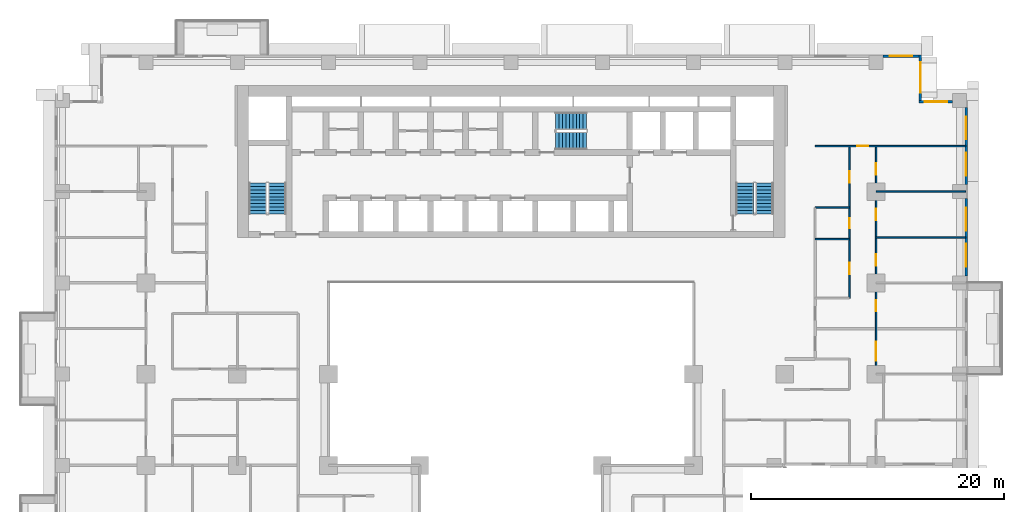
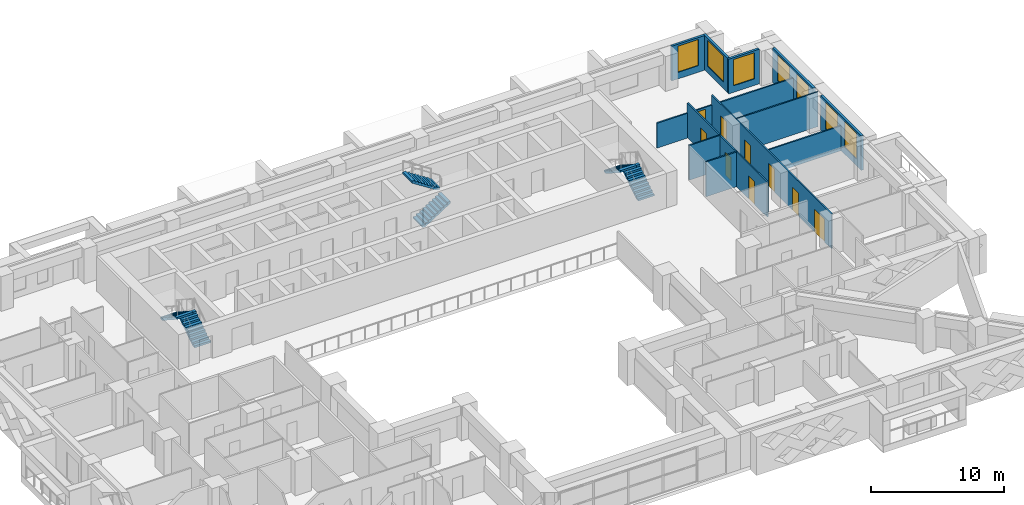
# One storey, part 12 of 16: 12 walls, 9 doors, 7 windows, 6 stair flights, 16 openings, 3 elements without a shape of their own.
"""IFC4 building model written with IfcOpenShell, lengths in metres."""

from ifc_helpers import new_model, si_unit, direction, frame, frame_2d, origin, place, context, subcontext, project, spatial, polyline, rectangle, outline, extrude, material, layer, layer_set, type_object, element, fill, aggregate, save


model = new_model("IFC4")

# Units and contexts
model_context = context("Model", 3, precision=1e-05, world=origin(), true_north=direction((0.0, 1.0)))
body_context = subcontext(model_context, "Body", "Model", "MODEL_VIEW")
ifc_project = project(units=[si_unit("LENGTHUNIT", "METRE"), si_unit("AREAUNIT", "SQUARE_METRE"), si_unit("VOLUMEUNIT", "CUBIC_METRE"), si_unit("PLANEANGLEUNIT", "RADIAN"), si_unit("MASSUNIT", "GRAM", prefix="KILO")], contexts=[model_context])

# Site, building, storey
site_placement = place(None, origin())
site = spatial("IfcSite", under=ifc_project, at=site_placement, CompositionType="ELEMENT")
building_placement = place(site_placement, origin())
building = spatial("IfcBuilding", under=site, at=building_placement, Name="Saffron Iwan Residences", CompositionType="ELEMENT")
storey_placement = place(building_placement, frame((0.0, 0.0, 30.5)))
storey = spatial("IfcBuildingStorey", under=building, at=storey_placement, Name="L06", CompositionType="ELEMENT", Elevation=30.5)

# Wall, openings, windows
ifc_material_1 = material(Name="Concrete C40/50", Category="concrete")
ifc_layer_1 = layer(ifc_material_1, 0.199951171875)
ifc_layer_set_1 = layer_set([ifc_layer_1], Name="Concrete C40/50")
wall_type_1 = type_object("IfcWallType", Name="EXTERNAL WALL 200", PredefinedType="SOLIDWALL", material=ifc_layer_set_1)
wall_1_placement = place(storey_placement, frame((86.300048828125, 62.949951171875, 0.0), z_axis=(0.0, 0.0, 1.0), x_axis=(0.0, 1.0, 0.0)))
wall_1 = element("IfcWall", 1, at=wall_1_placement, inside=storey, type_object=wall_type_1, Name="External wall L06 F2.2", PredefinedType="SOLIDWALL", context=body_context, shape_type="SweptSolid", body=[
    extrude(rectangle(XDim=6.10009765625, YDim=0.199951171875, at=frame_2d((3.050048828125, 0.0))), origin(), (0.0, 0.0, 1.0), 3.179931640625),
])
opening_1_placement = place(wall_1_placement, frame((0.72509765625, 0.0, 0.60009765625)))
opening_1 = element("IfcOpeningElement", 2, at=opening_1_placement, cuts=wall_1, Name="Opening W8", PredefinedType="OPENING", context=body_context, shape_type="SweptSolid", body=[
    extrude(rectangle(XDim=1.800048828125, YDim=2.39990234375, at=frame_2d((0.89990234375, 1.199951171875))), frame((0.0, 0.10986328125, 0.0), z_axis=(0.0, -1.0, 0.0), x_axis=(1.0, 0.0, 0.0)), (0.0, 0.0, 1.0), 0.219970703125),
])
opening_2_placement = place(wall_1_placement, frame((3.574951171875, 0.0, 0.60009765625)))
opening_2 = element("IfcOpeningElement", 3, at=opening_2_placement, cuts=wall_1, Name="Opening W8", PredefinedType="OPENING", context=body_context, shape_type="SweptSolid", body=[
    extrude(rectangle(XDim=1.800048828125, YDim=2.39990234375, at=frame_2d((0.89990234375, 1.199951171875))), frame((0.0, 0.10986328125, 0.0), z_axis=(0.0, -1.0, 0.0), x_axis=(1.0, 0.0, 0.0)), (0.0, 0.0, 1.0), 0.219970703125),
])
ifc_material_2 = material(Name="Clear glass, laminated double glazed", Category="glass")
window_type_1 = type_object("IfcWindowType", Name="WINDOW 1800 x 2400", PartitioningType="DOUBLE_PANEL_VERTICAL", PredefinedType="WINDOW", material=ifc_material_2)
window_1_placement = place(opening_1_placement, origin())
window_1 = element("IfcWindow", 4, at=window_1_placement, inside=storey, type_object=window_type_1, Name="Window L06 F2.0", OverallHeight=2.39990234375, OverallWidth=1.800048828125, PartitioningType="DOUBLE_PANEL_VERTICAL", PredefinedType="WINDOW", context=body_context, shape_type="SweptSolid", body=[
    extrude(rectangle(XDim=1.800048828125, YDim=2.39990234375, at=frame_2d((0.89990234375, 1.199951171875))), frame((0.0, 0.030029296875, 0.0), z_axis=(0.0, -1.0, 0.0), x_axis=(1.0, 0.0, 0.0)), (0.0, 0.0, 1.0), 0.06005859375),
])
fill(opening_1, window_1)
window_2_placement = place(opening_2_placement, origin())
window_2 = element("IfcWindow", 5, at=window_2_placement, inside=storey, type_object=window_type_1, Name="Window L06 F2.1", OverallHeight=2.39990234375, OverallWidth=1.800048828125, PartitioningType="DOUBLE_PANEL_VERTICAL", PredefinedType="WINDOW", context=body_context, shape_type="SweptSolid", body=[
    extrude(rectangle(XDim=1.800048828125, YDim=2.39990234375, at=frame_2d((0.89990234375, 1.199951171875))), frame((0.0, 0.030029296875, 0.0), z_axis=(0.0, -1.0, 0.0), x_axis=(1.0, 0.0, 0.0)), (0.0, 0.0, 1.0), 0.06005859375),
])
fill(opening_2, window_2)

wall_2_placement = place(storey_placement, frame((86.300048828125, 70.14990234375, 0.0), z_axis=(0.0, 0.0, 1.0), x_axis=(0.0, 1.0, 0.0)))
wall_2 = element("IfcWall", 6, at=wall_2_placement, inside=storey, type_object=wall_type_1, Name="External wall L06 F2.3", PredefinedType="SOLIDWALL", context=body_context, shape_type="SweptSolid", body=[
    extrude(rectangle(XDim=6.10009765625, YDim=0.199951171875, at=frame_2d((3.050048828125, 0.0))), origin(), (0.0, 0.0, 1.0), 3.179931640625),
])
opening_3_placement = place(wall_2_placement, frame((0.72509765625, 0.0, 0.60009765625)))
opening_3 = element("IfcOpeningElement", 7, at=opening_3_placement, cuts=wall_2, Name="Opening W8", PredefinedType="OPENING", context=body_context, shape_type="SweptSolid", body=[
    extrude(rectangle(XDim=1.800048828125, YDim=2.39990234375, at=frame_2d((0.89990234375, 1.199951171875))), frame((0.0, 0.10986328125, 0.0), z_axis=(0.0, -1.0, 0.0), x_axis=(1.0, 0.0, 0.0)), (0.0, 0.0, 1.0), 0.219970703125),
])
opening_4_placement = place(wall_2_placement, frame((3.574951171875, 0.0, 0.60009765625)))
opening_4 = element("IfcOpeningElement", 8, at=opening_4_placement, cuts=wall_2, Name="Opening W8", PredefinedType="OPENING", context=body_context, shape_type="SweptSolid", body=[
    extrude(rectangle(XDim=1.800048828125, YDim=2.39990234375, at=frame_2d((0.89990234375, 1.199951171875))), frame((0.0, 0.10986328125, 0.0), z_axis=(0.0, -1.0, 0.0), x_axis=(1.0, 0.0, 0.0)), (0.0, 0.0, 1.0), 0.219970703125),
])
window_3_placement = place(opening_3_placement, origin())
window_3 = element("IfcWindow", 9, at=window_3_placement, inside=storey, type_object=window_type_1, Name="Window L06 F2.0", OverallHeight=2.39990234375, OverallWidth=1.800048828125, PartitioningType="DOUBLE_PANEL_VERTICAL", PredefinedType="WINDOW", context=body_context, shape_type="SweptSolid", body=[
    extrude(rectangle(XDim=1.800048828125, YDim=2.39990234375, at=frame_2d((0.89990234375, 1.199951171875))), frame((0.0, 0.030029296875, 0.0), z_axis=(0.0, -1.0, 0.0), x_axis=(1.0, 0.0, 0.0)), (0.0, 0.0, 1.0), 0.06005859375),
])
fill(opening_3, window_3)
window_4_placement = place(opening_4_placement, origin())
window_4 = element("IfcWindow", 10, at=window_4_placement, inside=storey, type_object=window_type_1, Name="Window L06 F2.1", OverallHeight=2.39990234375, OverallWidth=1.800048828125, PartitioningType="DOUBLE_PANEL_VERTICAL", PredefinedType="WINDOW", context=body_context, shape_type="SweptSolid", body=[
    extrude(rectangle(XDim=1.800048828125, YDim=2.39990234375, at=frame_2d((0.89990234375, 1.199951171875))), frame((0.0, 0.030029296875, 0.0), z_axis=(0.0, -1.0, 0.0), x_axis=(1.0, 0.0, 0.0)), (0.0, 0.0, 1.0), 0.06005859375),
])
fill(opening_4, window_4)

# Wall, opening, window
wall_3_placement = place(storey_placement, frame((85.25, 76.699951171875, 0.0), z_axis=(0.0, 0.0, 1.0), x_axis=(-1.0, 0.0, 0.0)))
wall_3 = element("IfcWall", 11, at=wall_3_placement, inside=storey, type_object=wall_type_1, Name="External wall L06 F3.0", PredefinedType="SOLIDWALL", context=body_context, shape_type="SweptSolid", body=[
    extrude(rectangle(XDim=2.64990234375, YDim=0.199951171875, at=frame_2d((1.324951171875, 0.0))), origin(), (0.0, 0.0, 1.0), 3.179931640625),
])
opening_5_placement = place(wall_3_placement, frame((0.425048828125, 0.0, 0.60009765625)))
opening_5 = element("IfcOpeningElement", 12, at=opening_5_placement, cuts=wall_3, Name="Opening W8", PredefinedType="OPENING", context=body_context, shape_type="SweptSolid", body=[
    extrude(rectangle(XDim=1.800048828125, YDim=2.39990234375, at=frame_2d((0.89990234375, 1.199951171875))), frame((0.0, 0.10986328125, 0.0), z_axis=(0.0, -1.0, 0.0), x_axis=(1.0, 0.0, 0.0)), (0.0, 0.0, 1.0), 0.219970703125),
])
window_5_placement = place(opening_5_placement, origin())
window_5 = element("IfcWindow", 13, at=window_5_placement, inside=storey, type_object=window_type_1, Name="Window L06 F3.0", OverallHeight=2.39990234375, OverallWidth=1.800048828125, PartitioningType="DOUBLE_PANEL_VERTICAL", PredefinedType="WINDOW", context=body_context, shape_type="SweptSolid", body=[
    extrude(rectangle(XDim=1.800048828125, YDim=2.39990234375, at=frame_2d((0.89990234375, 1.199951171875))), frame((0.0, 0.030029296875, 0.0), z_axis=(0.0, -1.0, 0.0), x_axis=(1.0, 0.0, 0.0)), (0.0, 0.0, 1.0), 0.06005859375),
])
fill(opening_5, window_5)

wall_4_placement = place(storey_placement, frame((82.699951171875, 76.800048828125, 0.0), z_axis=(0.0, 0.0, 1.0), x_axis=(0.0, 1.0, 0.0)))
wall_4 = element("IfcWall", 14, at=wall_4_placement, inside=storey, type_object=wall_type_1, Name="External wall L06 F4.0", PredefinedType="SOLIDWALL", context=body_context, shape_type="SweptSolid", body=[
    extrude(rectangle(XDim=3.599853515625, YDim=0.199951171875, at=frame_2d((1.7998046875, 0.0))), origin(), (0.0, 0.0, 1.0), 3.179931640625),
])
opening_6_placement = place(wall_4_placement, frame((0.60009765625, 0.0, 0.60009765625)))
opening_6 = element("IfcOpeningElement", 15, at=opening_6_placement, cuts=wall_4, Name="Opening W1", PredefinedType="OPENING", context=body_context, shape_type="SweptSolid", body=[
    extrude(rectangle(XDim=2.39990234375, YDim=2.39990234375, at=frame_2d((1.199951171875, 1.199951171875))), frame((0.0, 0.10986328125, 0.0), z_axis=(0.0, -1.0, 0.0), x_axis=(1.0, 0.0, 0.0)), (0.0, 0.0, 1.0), 0.219970703125),
])
window_type_2 = type_object("IfcWindowType", Name="WINDOW 2400 x 2400", PartitioningType="DOUBLE_PANEL_VERTICAL", PredefinedType="WINDOW", material=ifc_material_2)
window_6_placement = place(opening_6_placement, origin())
window_6 = element("IfcWindow", 16, at=window_6_placement, inside=storey, type_object=window_type_2, Name="Window L06 F4.0", OverallHeight=2.39990234375, OverallWidth=2.39990234375, PartitioningType="DOUBLE_PANEL_VERTICAL", PredefinedType="WINDOW", context=body_context, shape_type="SweptSolid", body=[
    extrude(rectangle(XDim=2.39990234375, YDim=2.39990234375, at=frame_2d((1.199951171875, 1.199951171875))), frame((0.0, 0.030029296875, 0.0), z_axis=(0.0, -1.0, 0.0), x_axis=(1.0, 0.0, 0.0)), (0.0, 0.0, 1.0), 0.06005859375),
])
fill(opening_6, window_6)

wall_5_placement = place(storey_placement, frame((82.60009765625, 80.300048828125, 0.0), z_axis=(0.0, 0.0, 1.0), x_axis=(-1.0, 0.0, 0.0)))
wall_5 = element("IfcWall", 17, at=wall_5_placement, inside=storey, type_object=wall_type_1, Name="External wall L06 F5.0", PredefinedType="SOLIDWALL", context=body_context, shape_type="SweptSolid", body=[
    extrude(rectangle(XDim=2.85009765625, YDim=0.199951171875, at=frame_2d((1.425048828125, 0.0))), origin(), (0.0, 0.0, 1.0), 3.179931640625),
])
opening_7_placement = place(wall_5_placement, frame((0.52490234375, 0.0, 0.60009765625)))
opening_7 = element("IfcOpeningElement", 18, at=opening_7_placement, cuts=wall_5, Name="Opening W8", PredefinedType="OPENING", context=body_context, shape_type="SweptSolid", body=[
    extrude(rectangle(XDim=1.800048828125, YDim=2.39990234375, at=frame_2d((0.89990234375, 1.199951171875))), frame((0.0, 0.10986328125, 0.0), z_axis=(0.0, -1.0, 0.0), x_axis=(1.0, 0.0, 0.0)), (0.0, 0.0, 1.0), 0.219970703125),
])
window_7_placement = place(opening_7_placement, origin())
window_7 = element("IfcWindow", 19, at=window_7_placement, inside=storey, type_object=window_type_1, Name="Window L06 F5.0", OverallHeight=2.39990234375, OverallWidth=1.800048828125, PartitioningType="DOUBLE_PANEL_VERTICAL", PredefinedType="WINDOW", context=body_context, shape_type="SweptSolid", body=[
    extrude(rectangle(XDim=1.800048828125, YDim=2.39990234375, at=frame_2d((0.89990234375, 1.199951171875))), frame((0.0, 0.030029296875, 0.0), z_axis=(0.0, -1.0, 0.0), x_axis=(1.0, 0.0, 0.0)), (0.0, 0.0, 1.0), 0.06005859375),
])
fill(opening_7, window_7)

# Walls
ifc_material_3 = material(Name="Gypsum board partition")
ifc_layer_2 = layer(ifc_material_3, 0.1201171875)
ifc_layer_set_2 = layer_set([ifc_layer_2], Name="Gypsum board partition")
wall_type_2 = type_object("IfcWallType", Name="Flat partition 120", PredefinedType="PARTITIONING", material=ifc_layer_set_2)
wall_6_placement = place(storey_placement, frame((74.39990234375, 65.85009765625, 0.0), z_axis=(0.0, 0.0, 1.0), x_axis=(1.0, 0.0, 0.0)))
element("IfcWall", 20, at=wall_6_placement, inside=storey, type_object=wall_type_2, Name="W-L06-PART-h65.85-74.4", PredefinedType="PARTITIONING", context=body_context, shape_type="SweptSolid", body=[
    extrude(rectangle(XDim=2.7001953125, YDim=0.1201171875, at=frame_2d((1.35009765625, 0.0))), origin(), (0.0, 0.0, 1.0), 3.179931640625),
])
wall_7_placement = place(storey_placement, frame((79.199951171875, 66.0, 0.0), z_axis=(0.0, 0.0, 1.0), x_axis=(1.0, 0.0, 0.0)))
element("IfcWall", 21, at=wall_7_placement, inside=storey, type_object=wall_type_2, Name="W-L06-PART-h66-79.2", PredefinedType="PARTITIONING", context=body_context, shape_type="SweptSolid", body=[
    extrude(rectangle(XDim=7.074951171875, YDim=0.1201171875, at=frame_2d((3.53759765625, 0.0))), origin(), (0.0, 0.0, 1.0), 2.280029296875),
])
wall_8_placement = place(storey_placement, frame((74.39990234375, 68.35009765625, 0.0), z_axis=(0.0, 0.0, 1.0), x_axis=(1.0, 0.0, 0.0)))
element("IfcWall", 22, at=wall_8_placement, inside=storey, type_object=wall_type_2, Name="W-L06-PART-h68.35-74.4", PredefinedType="PARTITIONING", context=body_context, shape_type="SweptSolid", body=[
    extrude(rectangle(XDim=2.7001953125, YDim=0.1201171875, at=frame_2d((1.35009765625, 0.0))), origin(), (0.0, 0.0, 1.0), 3.179931640625),
])
wall_9_placement = place(storey_placement, frame((79.199951171875, 69.60009765625, 0.0), z_axis=(0.0, 0.0, 1.0), x_axis=(1.0, 0.0, 0.0)))
element("IfcWall", 23, at=wall_9_placement, inside=storey, type_object=wall_type_2, Name="W-L06-PART-h69.6-79.2", PredefinedType="PARTITIONING", context=body_context, shape_type="SweptSolid", body=[
    extrude(rectangle(XDim=7.074951171875, YDim=0.1201171875, at=frame_2d((3.53759765625, 0.0))), origin(), (0.0, 0.0, 1.0), 3.179931640625),
])

# Wall, opening, door
wall_10_placement = place(storey_placement, frame((74.39990234375, 73.199951171875, 0.0), z_axis=(0.0, 0.0, 1.0), x_axis=(1.0, 0.0, 0.0)))
wall_10 = element("IfcWall", 24, at=wall_10_placement, inside=storey, type_object=wall_type_2, Name="W-L06-PART-h73.2-74.4", PredefinedType="PARTITIONING", context=body_context, shape_type="SweptSolid", body=[
    extrude(rectangle(XDim=11.875, YDim=0.1201171875, at=frame_2d((5.9375, 0.0))), origin(), (0.0, 0.0, 1.0), 2.280029296875),
])
opening_8_placement = place(wall_10_placement, frame((3.300048828125, 0.0, 0.0)))
opening_8 = element("IfcOpeningElement", 25, at=opening_8_placement, cuts=wall_10, Name="Opening FD2", PredefinedType="OPENING", context=body_context, shape_type="SweptSolid", body=[
    extrude(rectangle(XDim=0.89990234375, YDim=2.10009765625, at=frame_2d((0.449951171875, 1.050048828125))), frame((0.0, 0.070068359375, 0.0), z_axis=(0.0, -1.0, 0.0), x_axis=(1.0, 0.0, 0.0)), (0.0, 0.0, 1.0), 0.14013671875),
])
ifc_material_4 = material(Name="Timber door", Category="wood")
door_type_1 = type_object("IfcDoorType", Name="Flat door 900", OperationType="NOTDEFINED", PredefinedType="DOOR", material=ifc_material_4)
door_1_placement = place(opening_8_placement, origin())
door_1 = element("IfcDoor", 26, at=door_1_placement, inside=storey, type_object=door_type_1, Name="Door L06-040", OperationType="SINGLE_SWING_RIGHT", OverallHeight=2.10009765625, OverallWidth=0.89990234375, PredefinedType="DOOR", context=body_context, shape_type="SweptSolid", body=[
    extrude(rectangle(XDim=0.89990234375, YDim=2.10009765625, at=frame_2d((0.449951171875, 1.050048828125))), frame((0.0, 0.02490234375, 0.0), z_axis=(0.0, -1.0, 0.0), x_axis=(1.0, 0.0, 0.0)), (0.0, 0.0, 1.0), 0.050048828125),
])
fill(opening_8, door_1)

# Wall, openings, doors
wall_11_placement = place(storey_placement, frame((77.10009765625, 61.199951171875, 0.0), z_axis=(0.0, 0.0, 1.0), x_axis=(0.0, 1.0, 0.0)))
wall_11 = element("IfcWall", 27, at=wall_11_placement, inside=storey, type_object=wall_type_2, Name="W-L06-PART-v77.1-61.2", PredefinedType="PARTITIONING", context=body_context, shape_type="SweptSolid", body=[
    extrude(rectangle(XDim=12.0, YDim=0.1201171875, at=frame_2d((6.0, 0.0))), origin(), (0.0, 0.0, 1.0), 3.179931640625),
])
opening_9_placement = place(wall_11_placement, frame((1.875, 0.0, 0.0)))
opening_9 = element("IfcOpeningElement", 28, at=opening_9_placement, cuts=wall_11, Name="Opening FD2", PredefinedType="OPENING", context=body_context, shape_type="SweptSolid", body=[
    extrude(rectangle(XDim=0.89990234375, YDim=2.10009765625, at=frame_2d((0.449951171875, 1.050048828125))), frame((0.0, 0.070068359375, 0.0), z_axis=(0.0, -1.0, 0.0), x_axis=(1.0, 0.0, 0.0)), (0.0, 0.0, 1.0), 0.14013671875),
])
opening_10_placement = place(wall_11_placement, frame((5.5, 0.0, 0.0)))
opening_10 = element("IfcOpeningElement", 29, at=opening_10_placement, cuts=wall_11, Name="Opening FD3", PredefinedType="OPENING", context=body_context, shape_type="SweptSolid", body=[
    extrude(rectangle(XDim=0.800048828125, YDim=2.10009765625, at=frame_2d((0.39990234375, 1.050048828125))), frame((0.0, 0.070068359375, 0.0), z_axis=(0.0, -1.0, 0.0), x_axis=(1.0, 0.0, 0.0)), (0.0, 0.0, 1.0), 0.14013671875),
])
opening_11_placement = place(wall_11_placement, frame((9.125, 0.0, 0.0)))
opening_11 = element("IfcOpeningElement", 30, at=opening_11_placement, cuts=wall_11, Name="Opening FD2", PredefinedType="OPENING", context=body_context, shape_type="SweptSolid", body=[
    extrude(rectangle(XDim=0.89990234375, YDim=2.10009765625, at=frame_2d((0.449951171875, 1.050048828125))), frame((0.0, 0.070068359375, 0.0), z_axis=(0.0, -1.0, 0.0), x_axis=(1.0, 0.0, 0.0)), (0.0, 0.0, 1.0), 0.14013671875),
])
door_type_2 = type_object("IfcDoorType", Name="Bathroom door 800", OperationType="NOTDEFINED", PredefinedType="DOOR", material=ifc_material_4)
door_2_placement = place(opening_10_placement, origin())
door_2 = element("IfcDoor", 31, at=door_2_placement, inside=storey, type_object=door_type_2, Name="Door L06-042", OperationType="SINGLE_SWING_LEFT", OverallHeight=2.10009765625, OverallWidth=0.800048828125, PredefinedType="DOOR", context=body_context, shape_type="SweptSolid", body=[
    extrude(rectangle(XDim=0.800048828125, YDim=2.10009765625, at=frame_2d((0.39990234375, 1.050048828125))), frame((0.0, 0.02490234375, 0.0), z_axis=(0.0, -1.0, 0.0), x_axis=(1.0, 0.0, 0.0)), (0.0, 0.0, 1.0), 0.050048828125),
])
fill(opening_10, door_2)
door_3_placement = place(opening_9_placement, origin())
door_3 = element("IfcDoor", 32, at=door_3_placement, inside=storey, type_object=door_type_1, Name="Door L06-041", OperationType="SINGLE_SWING_LEFT", OverallHeight=2.10009765625, OverallWidth=0.89990234375, PredefinedType="DOOR", context=body_context, shape_type="SweptSolid", body=[
    extrude(rectangle(XDim=0.89990234375, YDim=2.10009765625, at=frame_2d((0.449951171875, 1.050048828125))), frame((0.0, 0.02490234375, 0.0), z_axis=(0.0, -1.0, 0.0), x_axis=(1.0, 0.0, 0.0)), (0.0, 0.0, 1.0), 0.050048828125),
])
fill(opening_9, door_3)
door_4_placement = place(opening_11_placement, origin())
door_4 = element("IfcDoor", 33, at=door_4_placement, inside=storey, type_object=door_type_1, Name="Door L06-043", OperationType="SINGLE_SWING_RIGHT", OverallHeight=2.10009765625, OverallWidth=0.89990234375, PredefinedType="DOOR", context=body_context, shape_type="SweptSolid", body=[
    extrude(rectangle(XDim=0.89990234375, YDim=2.10009765625, at=frame_2d((0.449951171875, 1.050048828125))), frame((0.0, 0.02490234375, 0.0), z_axis=(0.0, -1.0, 0.0), x_axis=(1.0, 0.0, 0.0)), (0.0, 0.0, 1.0), 0.050048828125),
])
fill(opening_11, door_4)

wall_12_placement = place(storey_placement, frame((79.199951171875, 55.199951171875, 0.0), z_axis=(0.0, 0.0, 1.0), x_axis=(0.0, 1.0, 0.0)))
wall_12 = element("IfcWall", 34, at=wall_12_placement, inside=storey, type_object=wall_type_2, Name="W-L06-PART-v79.2-55.2", PredefinedType="PARTITIONING", context=body_context, shape_type="SweptSolid", body=[
    extrude(rectangle(XDim=18.0, YDim=0.1201171875, at=frame_2d((9.0, 0.0))), origin(), (0.0, 0.0, 1.0), 3.179931640625),
])
opening_12_placement = place(wall_12_placement, frame((1.050048828125, 0.0, 0.0)))
opening_12 = element("IfcOpeningElement", 35, at=opening_12_placement, cuts=wall_12, Name="Opening FD4", PredefinedType="OPENING", context=body_context, shape_type="SweptSolid", body=[
    extrude(rectangle(XDim=1.5, YDim=2.10009765625, at=frame_2d((0.75, 1.050048828125))), frame((0.0, 0.070068359375, 0.0), z_axis=(0.0, -1.0, 0.0), x_axis=(1.0, 0.0, 0.0)), (0.0, 0.0, 1.0), 0.14013671875),
])
opening_13_placement = place(wall_12_placement, frame((4.949951171875, 0.0, 0.0)))
opening_13 = element("IfcOpeningElement", 36, at=opening_13_placement, cuts=wall_12, Name="Opening FD2", PredefinedType="OPENING", context=body_context, shape_type="SweptSolid", body=[
    extrude(rectangle(XDim=0.89990234375, YDim=2.10009765625, at=frame_2d((0.449951171875, 1.050048828125))), frame((0.0, 0.070068359375, 0.0), z_axis=(0.0, -1.0, 0.0), x_axis=(1.0, 0.0, 0.0)), (0.0, 0.0, 1.0), 0.14013671875),
])
opening_14_placement = place(wall_12_placement, frame((8.550048828125, 0.0, 0.0)))
opening_14 = element("IfcOpeningElement", 37, at=opening_14_placement, cuts=wall_12, Name="Opening FD2", PredefinedType="OPENING", context=body_context, shape_type="SweptSolid", body=[
    extrude(rectangle(XDim=0.89990234375, YDim=2.10009765625, at=frame_2d((0.449951171875, 1.050048828125))), frame((0.0, 0.070068359375, 0.0), z_axis=(0.0, -1.0, 0.0), x_axis=(1.0, 0.0, 0.0)), (0.0, 0.0, 1.0), 0.14013671875),
])
opening_15_placement = place(wall_12_placement, frame((12.14990234375, 0.0, 0.0)))
opening_15 = element("IfcOpeningElement", 38, at=opening_15_placement, cuts=wall_12, Name="Opening FD2", PredefinedType="OPENING", context=body_context, shape_type="SweptSolid", body=[
    extrude(rectangle(XDim=0.89990234375, YDim=2.10009765625, at=frame_2d((0.449951171875, 1.050048828125))), frame((0.0, 0.070068359375, 0.0), z_axis=(0.0, -1.0, 0.0), x_axis=(1.0, 0.0, 0.0)), (0.0, 0.0, 1.0), 0.14013671875),
])
opening_16_placement = place(wall_12_placement, frame((15.75, 0.0, 0.0)))
opening_16 = element("IfcOpeningElement", 39, at=opening_16_placement, cuts=wall_12, Name="Opening FD2", PredefinedType="OPENING", context=body_context, shape_type="SweptSolid", body=[
    extrude(rectangle(XDim=0.89990234375, YDim=2.10009765625, at=frame_2d((0.449951171875, 1.050048828125))), frame((0.0, 0.070068359375, 0.0), z_axis=(0.0, -1.0, 0.0), x_axis=(1.0, 0.0, 0.0)), (0.0, 0.0, 1.0), 0.14013671875),
])
door_type_3 = type_object("IfcDoorType", Name="Double door 1500", OperationType="NOTDEFINED", PredefinedType="DOOR", material=ifc_material_4)
door_5_placement = place(opening_12_placement, origin())
door_5 = element("IfcDoor", 40, at=door_5_placement, inside=storey, type_object=door_type_3, Name="Door L06-024", OperationType="SINGLE_SWING_LEFT", OverallHeight=2.10009765625, OverallWidth=1.5, PredefinedType="DOOR", context=body_context, shape_type="SweptSolid", body=[
    extrude(rectangle(XDim=1.5, YDim=2.10009765625, at=frame_2d((0.75, 1.050048828125))), frame((0.0, 0.02490234375, 0.0), z_axis=(0.0, -1.0, 0.0), x_axis=(1.0, 0.0, 0.0)), (0.0, 0.0, 1.0), 0.050048828125),
])
fill(opening_12, door_5)
door_6_placement = place(opening_13_placement, origin())
door_6 = element("IfcDoor", 41, at=door_6_placement, inside=storey, type_object=door_type_1, Name="Door L06-036", OperationType="SINGLE_SWING_LEFT", OverallHeight=2.10009765625, OverallWidth=0.89990234375, PredefinedType="DOOR", context=body_context, shape_type="SweptSolid", body=[
    extrude(rectangle(XDim=0.89990234375, YDim=2.10009765625, at=frame_2d((0.449951171875, 1.050048828125))), frame((0.0, 0.02490234375, 0.0), z_axis=(0.0, -1.0, 0.0), x_axis=(1.0, 0.0, 0.0)), (0.0, 0.0, 1.0), 0.050048828125),
])
fill(opening_13, door_6)
door_7_placement = place(opening_14_placement, origin())
door_7 = element("IfcDoor", 42, at=door_7_placement, inside=storey, type_object=door_type_1, Name="Door L06-037", OperationType="SINGLE_SWING_RIGHT", OverallHeight=2.10009765625, OverallWidth=0.89990234375, PredefinedType="DOOR", context=body_context, shape_type="SweptSolid", body=[
    extrude(rectangle(XDim=0.89990234375, YDim=2.10009765625, at=frame_2d((0.449951171875, 1.050048828125))), frame((0.0, 0.02490234375, 0.0), z_axis=(0.0, -1.0, 0.0), x_axis=(1.0, 0.0, 0.0)), (0.0, 0.0, 1.0), 0.050048828125),
])
fill(opening_14, door_7)
door_8_placement = place(opening_15_placement, origin())
door_8 = element("IfcDoor", 43, at=door_8_placement, inside=storey, type_object=door_type_1, Name="Door L06-038", OperationType="SINGLE_SWING_LEFT", OverallHeight=2.10009765625, OverallWidth=0.89990234375, PredefinedType="DOOR", context=body_context, shape_type="SweptSolid", body=[
    extrude(rectangle(XDim=0.89990234375, YDim=2.10009765625, at=frame_2d((0.449951171875, 1.050048828125))), frame((0.0, 0.02490234375, 0.0), z_axis=(0.0, -1.0, 0.0), x_axis=(1.0, 0.0, 0.0)), (0.0, 0.0, 1.0), 0.050048828125),
])
fill(opening_15, door_8)
door_9_placement = place(opening_16_placement, origin())
door_9 = element("IfcDoor", 44, at=door_9_placement, inside=storey, type_object=door_type_1, Name="Door L06-039", OperationType="SINGLE_SWING_LEFT", OverallHeight=2.10009765625, OverallWidth=0.89990234375, PredefinedType="DOOR", context=body_context, shape_type="SweptSolid", body=[
    extrude(rectangle(XDim=0.89990234375, YDim=2.10009765625, at=frame_2d((0.449951171875, 1.050048828125))), frame((0.0, 0.02490234375, 0.0), z_axis=(0.0, -1.0, 0.0), x_axis=(1.0, 0.0, 0.0)), (0.0, 0.0, 1.0), 0.050048828125),
])
fill(opening_16, door_9)

# Stair, stair flights
ifc_material_5 = material(Name="Concrete C50/60", Category="concrete")
stair_type = type_object("IfcStairType", Name="Stair ST-CORE", PredefinedType="HALF_TURN_STAIR", material=ifc_material_5)
stair_1_placement = place(storey_placement, origin())
stair_1 = element("IfcStair", 45, at=stair_1_placement, inside=storey, type_object=stair_type, Name="L06 Exit Stair ST-W", PredefinedType="HALF_TURN_STAIR")
ifc_layer_3 = layer(ifc_material_5, 0.14990234375)
ifc_layer_set_3 = layer_set([ifc_layer_3], Name="Concrete C50/60")
stair_flight_type = type_object("IfcStairFlightType", Name="Stair flight SFL-RC", PredefinedType="STRAIGHT", material=ifc_layer_set_3)
stair_flight_1_placement = place(storey_placement, frame((31.949951171875, 67.85009765625, 0.0), z_axis=(0.0, 0.0, 1.0), x_axis=(0.0, 1.0, 0.0)))
stair_flight_1 = element("IfcStairFlight", 46, at=stair_flight_1_placement, type_object=stair_flight_type, Name="ST-W flight 1", NumberOfRisers=10, NumberOfTreads=9, PredefinedType="STRAIGHT", RiserHeight=0.175, TreadLength=0.27, context=body_context, shape_type="SweptSolid", body=[
    extrude(outline(polyline([(0.0, 0.0), (0.0, 0.175048828125), (0.27001953125, 0.175048828125), (0.27001953125, 0.35009765625), (0.5400390625, 0.35009765625), (0.5400390625, 0.52490234375), (0.81005859375, 0.52490234375), (0.81005859375, 0.699951171875), (1.080078125, 0.699951171875), (1.080078125, 0.875), (1.35009765625, 0.875), (1.35009765625, 1.050048828125), (1.6201171875, 1.050048828125), (1.6201171875, 1.22509765625), (1.889892578125, 1.22509765625), (1.889892578125, 1.39990234375), (2.159912109375, 1.39990234375), (2.159912109375, 1.574951171875), (2.429931640625, 1.574951171875), (2.429931640625, 1.75), (2.429931640625, 1.396484375), (0.275634765625, 0.0), (0.0, 0.0)])), frame((0.0, 0.699951171875, 0.0), z_axis=(0.0, -1.0, 0.0), x_axis=(1.0, 0.0, 0.0)), (0.0, 0.0, 1.0), 1.39990234375),
])
stair_flight_2_placement = place(storey_placement, frame((30.39990234375, 70.280029296875, 1.75), z_axis=(0.0, 0.0, 1.0), x_axis=(0.0, -1.0, 0.0)))
stair_flight_2 = element("IfcStairFlight", 47, at=stair_flight_2_placement, type_object=stair_flight_type, Name="ST-W flight 2", NumberOfRisers=10, NumberOfTreads=9, PredefinedType="STRAIGHT", RiserHeight=0.175, TreadLength=0.27, context=body_context, shape_type="SweptSolid", body=[
    extrude(outline(polyline([(0.0, 0.0), (0.0, 0.175048828125), (0.27001953125, 0.175048828125), (0.27001953125, 0.35009765625), (0.5400390625, 0.35009765625), (0.5400390625, 0.52490234375), (0.81005859375, 0.52490234375), (0.81005859375, 0.699951171875), (1.080078125, 0.699951171875), (1.080078125, 0.875), (1.35009765625, 0.875), (1.35009765625, 1.050048828125), (1.6201171875, 1.050048828125), (1.6201171875, 1.22509765625), (1.889892578125, 1.22509765625), (1.889892578125, 1.39990234375), (2.159912109375, 1.39990234375), (2.159912109375, 1.574951171875), (2.429931640625, 1.574951171875), (2.429931640625, 1.75), (2.429931640625, 1.396484375), (0.275634765625, 0.0), (0.0, 0.0)])), frame((0.0, 0.699951171875, 0.0), z_axis=(0.0, -1.0, 0.0), x_axis=(1.0, 0.0, 0.0)), (0.0, 0.0, 1.0), 1.39990234375),
])
aggregate(stair_1, [stair_flight_1, stair_flight_2])

stair_2_placement = place(storey_placement, origin())
stair_2 = element("IfcStair", 48, at=stair_2_placement, inside=storey, type_object=stair_type, Name="L06 Exit Stair ST-C", PredefinedType="HALF_TURN_STAIR")
stair_flight_3_placement = place(storey_placement, frame((53.925048828125, 73.625, 0.0), z_axis=(0.0, 0.0, 1.0), x_axis=(1.0, 0.0, 0.0)))
stair_flight_3 = element("IfcStairFlight", 49, at=stair_flight_3_placement, type_object=stair_flight_type, Name="ST-C flight 1", NumberOfRisers=10, NumberOfTreads=9, PredefinedType="STRAIGHT", RiserHeight=0.175, TreadLength=0.27, context=body_context, shape_type="SweptSolid", body=[
    extrude(outline(polyline([(0.0, 0.0), (0.0, 0.175048828125), (0.27001953125, 0.175048828125), (0.27001953125, 0.35009765625), (0.5400390625, 0.35009765625), (0.5400390625, 0.52490234375), (0.81005859375, 0.52490234375), (0.81005859375, 0.699951171875), (1.080078125, 0.699951171875), (1.080078125, 0.875), (1.35009765625, 0.875), (1.35009765625, 1.050048828125), (1.6201171875, 1.050048828125), (1.6201171875, 1.22509765625), (1.889892578125, 1.22509765625), (1.889892578125, 1.39990234375), (2.159912109375, 1.39990234375), (2.159912109375, 1.574951171875), (2.429931640625, 1.574951171875), (2.429931640625, 1.75), (2.429931640625, 1.396484375), (0.275634765625, 0.0), (0.0, 0.0)])), frame((0.0, 0.699951171875, 0.0), z_axis=(0.0, -1.0, 0.0), x_axis=(1.0, 0.0, 0.0)), (0.0, 0.0, 1.0), 1.39990234375),
])
stair_flight_4_placement = place(storey_placement, frame((56.35498046875, 75.175048828125, 1.75), z_axis=(0.0, 0.0, 1.0), x_axis=(-1.0, 0.0, 0.0)))
stair_flight_4 = element("IfcStairFlight", 50, at=stair_flight_4_placement, type_object=stair_flight_type, Name="ST-C flight 2", NumberOfRisers=10, NumberOfTreads=9, PredefinedType="STRAIGHT", RiserHeight=0.175, TreadLength=0.27, context=body_context, shape_type="SweptSolid", body=[
    extrude(outline(polyline([(0.0, 0.0), (0.0, 0.175048828125), (0.27001953125, 0.175048828125), (0.27001953125, 0.35009765625), (0.5400390625, 0.35009765625), (0.5400390625, 0.52490234375), (0.81005859375, 0.52490234375), (0.81005859375, 0.699951171875), (1.080078125, 0.699951171875), (1.080078125, 0.875), (1.35009765625, 0.875), (1.35009765625, 1.050048828125), (1.6201171875, 1.050048828125), (1.6201171875, 1.22509765625), (1.889892578125, 1.22509765625), (1.889892578125, 1.39990234375), (2.159912109375, 1.39990234375), (2.159912109375, 1.574951171875), (2.429931640625, 1.574951171875), (2.429931640625, 1.75), (2.429931640625, 1.396484375), (0.275634765625, 0.0), (0.0, 0.0)])), frame((0.0, 0.699951171875, 0.0), z_axis=(0.0, -1.0, 0.0), x_axis=(1.0, 0.0, 0.0)), (0.0, 0.0, 1.0), 1.39990234375),
])
aggregate(stair_2, [stair_flight_3, stair_flight_4])

stair_3_placement = place(storey_placement, origin())
stair_3 = element("IfcStair", 51, at=stair_3_placement, inside=storey, type_object=stair_type, Name="L06 Exit Stair ST-E", PredefinedType="HALF_TURN_STAIR")
stair_flight_5_placement = place(storey_placement, frame((70.39990234375, 67.85009765625, 0.0), z_axis=(0.0, 0.0, 1.0), x_axis=(0.0, 1.0, 0.0)))
stair_flight_5 = element("IfcStairFlight", 52, at=stair_flight_5_placement, type_object=stair_flight_type, Name="ST-E flight 1", NumberOfRisers=10, NumberOfTreads=9, PredefinedType="STRAIGHT", RiserHeight=0.175, TreadLength=0.27, context=body_context, shape_type="SweptSolid", body=[
    extrude(outline(polyline([(0.0, 0.0), (0.0, 0.175048828125), (0.27001953125, 0.175048828125), (0.27001953125, 0.35009765625), (0.5400390625, 0.35009765625), (0.5400390625, 0.52490234375), (0.81005859375, 0.52490234375), (0.81005859375, 0.699951171875), (1.080078125, 0.699951171875), (1.080078125, 0.875), (1.35009765625, 0.875), (1.35009765625, 1.050048828125), (1.6201171875, 1.050048828125), (1.6201171875, 1.22509765625), (1.889892578125, 1.22509765625), (1.889892578125, 1.39990234375), (2.159912109375, 1.39990234375), (2.159912109375, 1.574951171875), (2.429931640625, 1.574951171875), (2.429931640625, 1.75), (2.429931640625, 1.396484375), (0.275634765625, 0.0), (0.0, 0.0)])), frame((0.0, 0.699951171875, 0.0), z_axis=(0.0, -1.0, 0.0), x_axis=(1.0, 0.0, 0.0)), (0.0, 0.0, 1.0), 1.39990234375),
])
stair_flight_6_placement = place(storey_placement, frame((68.85009765625, 70.280029296875, 1.75), z_axis=(0.0, 0.0, 1.0), x_axis=(0.0, -1.0, 0.0)))
stair_flight_6 = element("IfcStairFlight", 53, at=stair_flight_6_placement, type_object=stair_flight_type, Name="ST-E flight 2", NumberOfRisers=10, NumberOfTreads=9, PredefinedType="STRAIGHT", RiserHeight=0.175, TreadLength=0.27, context=body_context, shape_type="SweptSolid", body=[
    extrude(outline(polyline([(0.0, 0.0), (0.0, 0.175048828125), (0.27001953125, 0.175048828125), (0.27001953125, 0.35009765625), (0.5400390625, 0.35009765625), (0.5400390625, 0.52490234375), (0.81005859375, 0.52490234375), (0.81005859375, 0.699951171875), (1.080078125, 0.699951171875), (1.080078125, 0.875), (1.35009765625, 0.875), (1.35009765625, 1.050048828125), (1.6201171875, 1.050048828125), (1.6201171875, 1.22509765625), (1.889892578125, 1.22509765625), (1.889892578125, 1.39990234375), (2.159912109375, 1.39990234375), (2.159912109375, 1.574951171875), (2.429931640625, 1.574951171875), (2.429931640625, 1.75), (2.429931640625, 1.396484375), (0.275634765625, 0.0), (0.0, 0.0)])), frame((0.0, 0.699951171875, 0.0), z_axis=(0.0, -1.0, 0.0), x_axis=(1.0, 0.0, 0.0)), (0.0, 0.0, 1.0), 1.39990234375),
])
aggregate(stair_3, [stair_flight_5, stair_flight_6])

save(model, "model.ifc")
